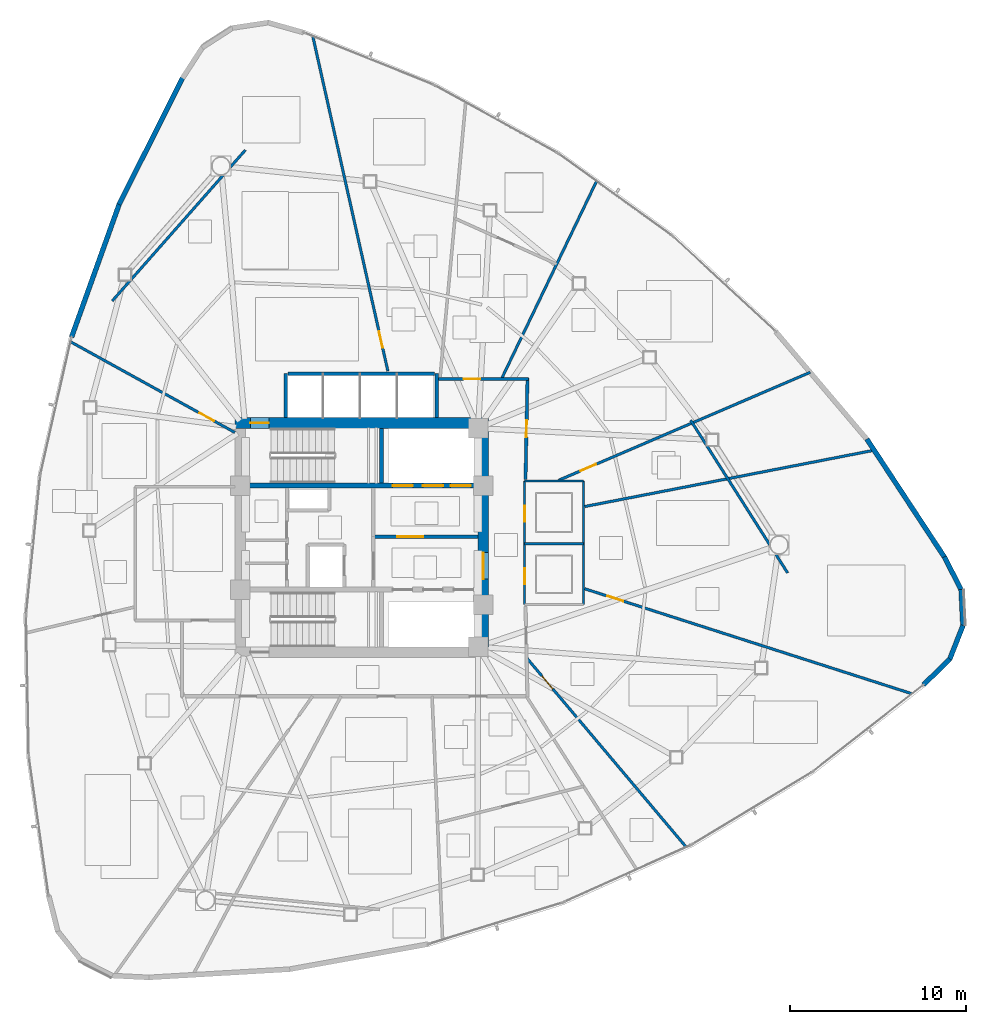
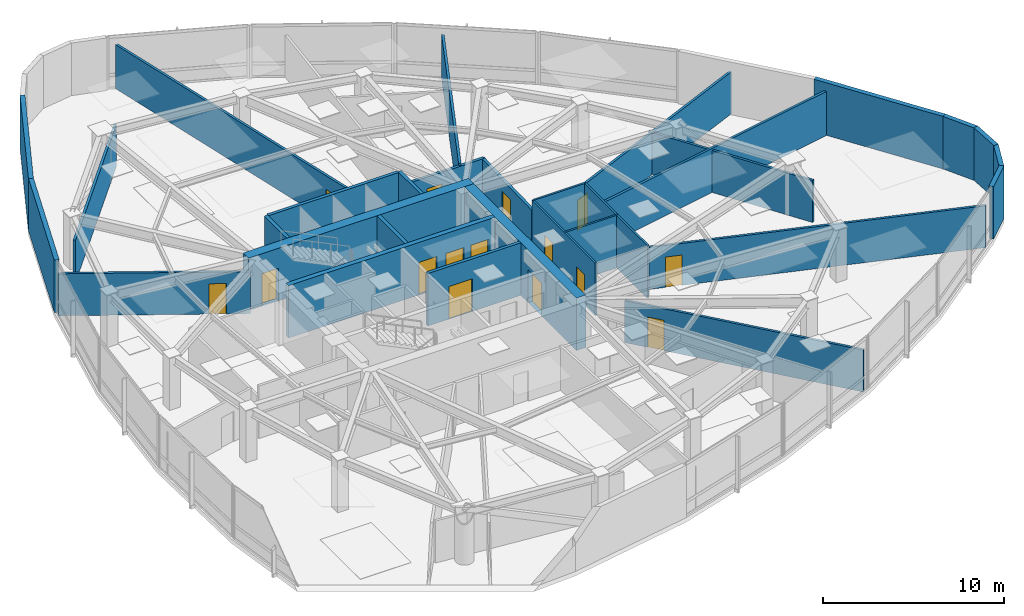
# One storey, part 12 of 17: 30 walls, 15 doors, 15 openings.
"""IFC4 building model written with IfcOpenShell, lengths in metres."""

import ifcopenshell
import ifcopenshell.guid

model = None  # the IFC model being written
_history = None  # IfcOwnerHistory: only IFC2X3 demands one
_inside = {}  # id of a spatial element -> (the spatial element, [elements in it])
_under = {}  # id of a project, library or spatial element -> (it, [spatial elements below it])
_declared = {}  # id of a project -> (the project, [libraries it declares])
_typed = {}  # id of a type object -> (the type object, [elements of that type])
_made_of = {}  # id of a material, layer set ... -> (it, [elements and type objects made of it])


def new_model(schema):
    """Start an empty IFC model of exactly this schema.

    Asked for "IFC4X3", IfcOpenShell would pick the latest addendum, in which some entities
    have other attributes; the version numbers below select the first issue.
    IFC2X3 requires an IfcOwnerHistory on every rooted entity: one is made here for all.
    """
    global model, _history
    if schema == "IFC4X3":
        model = ifcopenshell.file(schema_version=(4, 3, 0, 0))
    else:
        model = ifcopenshell.file(schema=schema)
    _inside.clear()
    _under.clear()
    _declared.clear()
    _typed.clear()
    _made_of.clear()
    _history = None
    if model.schema == "IFC2X3":
        org = make("IfcOrganization", Name="unknown")
        user = make(
            "IfcPersonAndOrganization",
            ThePerson=make("IfcPerson", FamilyName="unknown"),
            TheOrganization=org,
        )
        app = make(
            "IfcApplication",
            ApplicationDeveloper=org,
            Version="unknown",
            ApplicationFullName="unknown",
            ApplicationIdentifier="unknown",
        )
        _history = make(
            "IfcOwnerHistory",
            OwningUser=user,
            OwningApplication=app,
            ChangeAction="ADDED",
            CreationDate=0,
        )
    return model


def make(cls, **values):
    """One entity of the class cls with the attributes given. An attribute that is None is left unset."""
    return model.create_entity(
        cls, **{name: value for name, value in values.items() if value is not None}
    )


def rooted(cls, **values):
    """An entity with a GlobalId (a new one), such as an element, a storey or a relation."""
    return make(cls, GlobalId=ifcopenshell.guid.new(), OwnerHistory=_history, **values)


def si_unit(unit_type, name, prefix=None):
    """IfcSIUnit, for example si_unit("LENGTHUNIT", "METRE", prefix="MILLI")."""
    return make("IfcSIUnit", UnitType=unit_type, Prefix=prefix, Name=name)


def assignment(units):
    """IfcUnitAssignment: the units of a project."""
    return None if units is None else make("IfcUnitAssignment", Units=units)


def point(xyz):
    """IfcCartesianPoint."""
    return None if xyz is None else make("IfcCartesianPoint", Coordinates=xyz)


def direction(xyz):
    """IfcDirection."""
    return None if xyz is None else make("IfcDirection", DirectionRatios=xyz)


def frame(location, z_axis=None, x_axis=None):
    """IfcAxis2Placement3D, a coordinate frame: its origin and axes. An axis left out is left unset."""
    return make(
        "IfcAxis2Placement3D",
        Location=point(location),
        Axis=direction(z_axis),
        RefDirection=direction(x_axis),
    )


def frame_2d(location, x_axis=None):
    """IfcAxis2Placement2D, a coordinate frame in the plane: its origin and x axis."""
    return make(
        "IfcAxis2Placement2D", Location=point(location), RefDirection=direction(x_axis)
    )


def origin():
    """The frame at (0, 0, 0) with its axes left unset."""
    return frame((0.0, 0.0, 0.0))


def place(relative_to, where):
    """IfcLocalPlacement: puts the frame where relative to a parent placement (None: the world)."""
    return make(
        "IfcLocalPlacement", PlacementRelTo=relative_to, RelativePlacement=where
    )


def context(
    kind, dimensions, precision=None, world=None, true_north=None, identifier=None
):
    """IfcGeometricRepresentationContext, for example the 3D "Model" context."""
    return make(
        "IfcGeometricRepresentationContext",
        ContextIdentifier=identifier,
        ContextType=kind,
        CoordinateSpaceDimension=dimensions,
        Precision=precision,
        WorldCoordinateSystem=world,
        TrueNorth=true_north,
    )


def subcontext(parent, identifier, kind, view, scale=None):
    """IfcGeometricRepresentationSubContext, for example "Body" below "Model"."""
    return make(
        "IfcGeometricRepresentationSubContext",
        ContextIdentifier=identifier,
        ContextType=kind,
        ParentContext=parent,
        TargetScale=scale,
        TargetView=view,
    )


def project(units=None, contexts=None):
    """IfcProject with its units and contexts."""
    return rooted(
        "IfcProject",
        Name="project",
        RepresentationContexts=contexts,
        UnitsInContext=assignment(units),
    )


def spatial(cls, under=None, at=None, **own):
    """A site, building, storey or space (cls), placed at a placement, below another one or the project."""
    s = rooted(cls, ObjectPlacement=at, **own)
    if under is not None:
        _under.setdefault(under.id(), (under, []))[1].append(s)
    return s


def profile(cls, at=None, kind="AREA", **sizes):
    """A parametric profile (cls). Its sizes go by their IFC names, for example OverallWidth=200.0."""
    return make(cls, ProfileType=kind, Position=at, **sizes)


def rectangle(**sizes):
    """IfcRectangleProfileDef."""
    return profile("IfcRectangleProfileDef", **sizes)


def extrude(swept, where, along, depth):
    """IfcExtrudedAreaSolid: the profile swept, set in the frame where, extruded along a direction by depth."""
    return make(
        "IfcExtrudedAreaSolid",
        SweptArea=swept,
        Position=where,
        ExtrudedDirection=direction(along),
        Depth=depth,
    )


def shape(context_of_items, identifier, shape_type, items):
    """IfcShapeRepresentation: the items that make up one representation, for example the "Body"."""
    return make(
        "IfcShapeRepresentation",
        ContextOfItems=context_of_items,
        RepresentationIdentifier=identifier,
        RepresentationType=shape_type,
        Items=items,
    )


def material(Name=None, Category=None):
    """IfcMaterial."""
    return make("IfcMaterial", Name=Name, Category=Category)


def layer(
    of_material, thickness, ventilated=None, Name=None, Category=None, Priority=None
):
    """IfcMaterialLayer: one layer of a wall or slab, of a material (None: an air gap)."""
    return make(
        "IfcMaterialLayer",
        Material=of_material,
        LayerThickness=thickness,
        IsVentilated=ventilated,
        Name=Name,
        Category=Category,
        Priority=Priority,
    )


def layer_set(layers, Name=None):
    """IfcMaterialLayerSet."""
    return make("IfcMaterialLayerSet", MaterialLayers=layers, LayerSetName=Name)


def made_of(thing, what):
    """Note that an element or type object is made of a material, layer set ...; save() writes the relation."""
    if what is not None:
        _made_of.setdefault(what.id(), (what, []))[1].append(thing)
    return thing


def type_object(cls, material=None, **own):
    """A type object (cls), such as IfcWallType, which elements share."""
    return made_of(rooted(cls, **own), material)


def element(
    cls,
    number,
    at=None,
    inside=None,
    cuts=None,
    type_object=None,
    material=None,
    context=None,
    identifier="Body",
    shape_type=None,
    held_by="IfcProductDefinitionShape",
    body=None,
    shapes=None,
    **own,
):
    """One element of the class cls, such as IfcWall. Its Tag is "e" and its number.

    at: its placement. inside: the storey or other place that contains it. cuts: it is an
    opening in that element (IfcRelVoidsElement). A single representation is given by context,
    identifier, shape_type and body (its items); several are given by shapes. held_by: the class
    of the entity that holds the representations. save() writes the other relations.
    """
    e = rooted(cls, Tag="e%d" % number, ObjectPlacement=at, **own)
    if body is not None:
        shapes = [shape(context, identifier, shape_type, body)]
    if shapes is not None:
        e.Representation = make(held_by, Representations=shapes)
    if inside is not None:
        _inside.setdefault(inside.id(), (inside, []))[1].append(e)
    if cuts is not None:
        rooted(
            "IfcRelVoidsElement", RelatingBuildingElement=cuts, RelatedOpeningElement=e
        )
    if type_object is not None:
        _typed.setdefault(type_object.id(), (type_object, []))[1].append(e)
    return made_of(e, material)


def fill(opening, filler):
    """IfcRelFillsElement: the door or window that sits in an opening."""
    return rooted(
        "IfcRelFillsElement",
        RelatingOpeningElement=opening,
        RelatedBuildingElement=filler,
    )


def aggregate(whole, parts):
    """IfcRelAggregates: a whole, such as a stair, and the parts it consists of."""
    return rooted("IfcRelAggregates", RelatingObject=whole, RelatedObjects=parts)


def save(model, path):
    """Write the relations noted so far, then the file.

    IfcRelAggregates (storeys below a building ...), IfcRelContainedInSpatialStructure (elements
    in a storey), IfcRelDefinesByType, IfcRelAssociatesMaterial and IfcRelDeclares: one each for
    every whole, place, type object, material and project.
    """
    for whole, parts in _under.values():
        aggregate(whole, parts)
    for where, things in _inside.values():
        rooted(
            "IfcRelContainedInSpatialStructure",
            RelatedElements=things,
            RelatingStructure=where,
        )
    for kind, things in _typed.values():
        rooted("IfcRelDefinesByType", RelatedObjects=things, RelatingType=kind)
    for what, things in _made_of.values():
        rooted("IfcRelAssociatesMaterial", RelatedObjects=things, RelatingMaterial=what)
    for by, libraries in _declared.values():
        rooted("IfcRelDeclares", RelatingContext=by, RelatedDefinitions=libraries)
    model.write(path)


model = new_model("IFC4")

# Units and contexts
model_context = context("Model", 3, precision=1e-05, world=origin(), true_north=direction((0.0, 1.0)))
body_context = subcontext(model_context, "Body", "Model", "MODEL_VIEW")
ifc_project = project(units=[si_unit("LENGTHUNIT", "METRE"), si_unit("AREAUNIT", "SQUARE_METRE"), si_unit("VOLUMEUNIT", "CUBIC_METRE"), si_unit("PLANEANGLEUNIT", "RADIAN"), si_unit("MASSUNIT", "GRAM", prefix="KILO")], contexts=[model_context])

# Site, building, storey
site_placement = place(None, origin())
site = spatial("IfcSite", under=ifc_project, at=site_placement, CompositionType="ELEMENT")
building_placement = place(site_placement, origin())
building = spatial("IfcBuilding", under=site, at=building_placement, Name="Tavelor Broadcast Tower", CompositionType="ELEMENT")
storey_placement = place(building_placement, frame((0.0, 0.0, 119.449951171875)))
storey = spatial("IfcBuildingStorey", under=building, at=storey_placement, Name="L27", CompositionType="ELEMENT", Elevation=119.449951171875)

# Wall, opening, door
ifc_material_1 = material(Name="Concrete C60/75", Category="concrete")
ifc_layer_1 = layer(ifc_material_1, 0.60009765625)
ifc_layer_set_1 = layer_set([ifc_layer_1], Name="Concrete C60/75")
wall_type_1 = type_object("IfcWallType", Name="Core Shear Wall 600 mm", PredefinedType="SHEAR", material=ifc_layer_set_1)
wall_1_placement = place(storey_placement, frame((42.800048828125, 51.5, 0.0), z_axis=(0.0, 0.0, 1.0), x_axis=(1.0, 0.0, 0.0)))
wall_1 = element("IfcWall", 1, at=wall_1_placement, inside=storey, type_object=wall_type_1, Name="L27 Central Core Shear Wall N", PredefinedType="SHEAR", context=body_context, shape_type="SweptSolid", body=[
    extrude(rectangle(XDim=14.39990234375, YDim=0.60009765625, at=frame_2d((7.199951171875, 0.0))), origin(), (0.0, 0.0, 1.0), 3.550048828125),
])
opening_1_placement = place(wall_1_placement, frame((0.8798828125, 0.0, 0.0)))
opening_1 = element("IfcOpeningElement", 2, at=opening_1_placement, cuts=wall_1, Name="Opening DR11", PredefinedType="OPENING", context=body_context, shape_type="SweptSolid", body=[
    extrude(rectangle(XDim=1.050048828125, YDim=2.199951171875, at=frame_2d((0.52490234375, 1.10009765625))), frame((0.0, 0.31005859375, 0.0), z_axis=(0.0, -1.0, 0.0), x_axis=(1.0, 0.0, 0.0)), (0.0, 0.0, 1.0), 0.6201171875),
])
ifc_material_2 = material(Name="Steel S355", Category="steel")
door_type_1 = type_object("IfcDoorType", Name="Stair Core Fire Escape Door 1050x2200", OperationType="NOTDEFINED", PredefinedType="DOOR", material=ifc_material_2)
door_1_placement = place(opening_1_placement, origin())
door_1 = element("IfcDoor", 3, at=door_1_placement, inside=storey, type_object=door_type_1, Name="L27 Stair ST1 Protected Exit Door", OperationType="SINGLE_SWING_LEFT", OverallHeight=2.199951171875, OverallWidth=1.050048828125, PredefinedType="DOOR", context=body_context, shape_type="SweptSolid", body=[
    extrude(rectangle(XDim=1.050048828125, YDim=2.199951171875, at=frame_2d((0.52490234375, 1.10009765625))), frame((0.0, 0.02490234375, 0.0), z_axis=(0.0, -1.0, 0.0), x_axis=(1.0, 0.0, 0.0)), (0.0, 0.0, 1.0), 0.050048828125),
])
fill(opening_1, door_1)

wall_2_placement = place(storey_placement, frame((56.89990234375, 38.800048828125, 0.0), z_axis=(0.0, 0.0, 1.0), x_axis=(0.0, 1.0, 0.0)))
wall_2 = element("IfcWall", 4, at=wall_2_placement, inside=storey, type_object=wall_type_1, Name="L27 Central Core Shear Wall E", PredefinedType="SHEAR", context=body_context, shape_type="SweptSolid", body=[
    extrude(rectangle(XDim=12.39990234375, YDim=0.60009765625, at=frame_2d((6.199951171875, 0.0))), origin(), (0.0, 0.0, 1.0), 3.550048828125),
])
opening_2_placement = place(wall_2_placement, frame((3.85009765625, 0.0, 0.0)))
opening_2 = element("IfcOpeningElement", 5, at=opening_2_placement, cuts=wall_2, Name="Opening DR14", PredefinedType="OPENING", context=body_context, shape_type="SweptSolid", body=[
    extrude(rectangle(XDim=1.5, YDim=2.199951171875, at=frame_2d((0.75, 1.10009765625))), frame((0.0, 0.31005859375, 0.0), z_axis=(0.0, -1.0, 0.0), x_axis=(1.0, 0.0, 0.0)), (0.0, 0.0, 1.0), 0.6201171875),
])
door_type_2 = type_object("IfcDoorType", Name="Firefighting Lobby Double Fire Door 1500x2200", OperationType="NOTDEFINED", PredefinedType="DOOR", material=ifc_material_2)
door_2_placement = place(opening_2_placement, origin())
door_2 = element("IfcDoor", 6, at=door_2_placement, inside=storey, type_object=door_type_2, Name="L27 Central Core Lobby Fire Door", OperationType="SINGLE_SWING_RIGHT", OverallHeight=2.199951171875, OverallWidth=1.5, PredefinedType="DOOR", context=body_context, shape_type="SweptSolid", body=[
    extrude(rectangle(XDim=1.5, YDim=2.199951171875, at=frame_2d((0.75, 1.10009765625))), frame((0.0, 0.02490234375, 0.0), z_axis=(0.0, -1.0, 0.0), x_axis=(1.0, 0.0, 0.0)), (0.0, 0.0, 1.0), 0.050048828125),
])
fill(opening_2, door_2)

# Wall, openings, doors
ifc_layer_2 = layer(ifc_material_1, 0.300048828125)
ifc_layer_set_2 = layer_set([ifc_layer_2], Name="Concrete C60/75")
wall_type_2 = type_object("IfcWallType", Name="Core Spine Shear Wall 300 mm C60", PredefinedType="SHEAR", material=ifc_layer_set_2)
wall_3_placement = place(storey_placement, frame((43.39990234375, 47.949951171875, 0.0), z_axis=(0.0, 0.0, 1.0), x_axis=(1.0, 0.0, 0.0)))
wall_3 = element("IfcWall", 7, at=wall_3_placement, inside=storey, type_object=wall_type_2, Name="L27 Central Core Shear Wall SP1", PredefinedType="SHEAR", context=body_context, shape_type="SweptSolid", body=[
    extrude(rectangle(XDim=13.2001953125, YDim=0.300048828125, at=frame_2d((6.60009765625, 0.0))), origin(), (0.0, 0.0, 1.0), 3.550048828125),
])
opening_3_placement = place(wall_3_placement, frame((8.344970703125, 0.0, 0.0)))
opening_3 = element("IfcOpeningElement", 8, at=opening_3_placement, cuts=wall_3, Name="Opening LD02", PredefinedType="OPENING", context=body_context, shape_type="SweptSolid", body=[
    extrude(rectangle(XDim=1.14990234375, YDim=2.199951171875, at=frame_2d((0.574951171875, 1.10009765625))), frame((0.0, 0.16015625, 0.0), z_axis=(0.0, -1.0, 0.0), x_axis=(1.0, 0.0, 0.0)), (0.0, 0.0, 1.0), 0.320068359375),
])
opening_4_placement = place(wall_3_placement, frame((10.06494140625, 0.0, 0.0)))
opening_4 = element("IfcOpeningElement", 9, at=opening_4_placement, cuts=wall_3, Name="Opening LD02", PredefinedType="OPENING", context=body_context, shape_type="SweptSolid", body=[
    extrude(rectangle(XDim=1.14990234375, YDim=2.199951171875, at=frame_2d((0.574951171875, 1.10009765625))), frame((0.0, 0.16015625, 0.0), z_axis=(0.0, -1.0, 0.0), x_axis=(1.0, 0.0, 0.0)), (0.0, 0.0, 1.0), 0.320068359375),
])
opening_5_placement = place(wall_3_placement, frame((11.64501953125, 0.0, 0.0)))
opening_5 = element("IfcOpeningElement", 10, at=opening_5_placement, cuts=wall_3, Name="Opening LD03", PredefinedType="OPENING", context=body_context, shape_type="SweptSolid", body=[
    extrude(rectangle(XDim=1.14990234375, YDim=2.199951171875, at=frame_2d((0.574951171875, 1.10009765625))), frame((0.0, 0.16015625, 0.0), z_axis=(0.0, -1.0, 0.0), x_axis=(1.0, 0.0, 0.0)), (0.0, 0.0, 1.0), 0.320068359375),
])
ifc_material_3 = material(Name="Reinforced Brushed Stainless Steel", Category="concrete")
door_type_3 = type_object("IfcDoorType", Name="Broadcast Goods Lift Sliding Landing Door 1250x2200", OperationType="NOTDEFINED", PredefinedType="DOOR", material=ifc_material_3)
door_3_placement = place(opening_5_placement, origin())
door_3 = element("IfcDoor", 11, at=door_3_placement, inside=storey, type_object=door_type_3, Name="L27 Lift SVL1 Sliding Landing Door", OperationType="SLIDING_TO_LEFT", OverallHeight=2.199951171875, OverallWidth=1.14990234375, PredefinedType="DOOR", context=body_context, shape_type="SweptSolid", body=[
    extrude(rectangle(XDim=1.14990234375, YDim=2.199951171875, at=frame_2d((0.574951171875, 1.10009765625))), frame((0.0, 0.02490234375, 0.0), z_axis=(0.0, -1.0, 0.0), x_axis=(1.0, 0.0, 0.0)), (0.0, 0.0, 1.0), 0.050048828125),
])
fill(opening_5, door_3)
ifc_material_4 = material(Name="Fire-Rated Stainless Steel", Category="steel")
door_type_4 = type_object("IfcDoorType", Name="Firefighting Lift Sliding Landing Door 1200x2200", OperationType="NOTDEFINED", PredefinedType="DOOR", material=ifc_material_4)
door_4_placement = place(opening_3_placement, origin())
door_4 = element("IfcDoor", 12, at=door_4_placement, inside=storey, type_object=door_type_4, Name="L27 Lift FFL1 Sliding Landing Door", OperationType="SLIDING_TO_LEFT", OverallHeight=2.199951171875, OverallWidth=1.14990234375, PredefinedType="DOOR", context=body_context, shape_type="SweptSolid", body=[
    extrude(rectangle(XDim=1.14990234375, YDim=2.199951171875, at=frame_2d((0.574951171875, 1.10009765625))), frame((0.0, 0.02490234375, 0.0), z_axis=(0.0, -1.0, 0.0), x_axis=(1.0, 0.0, 0.0)), (0.0, 0.0, 1.0), 0.050048828125),
])
fill(opening_3, door_4)
door_5_placement = place(opening_4_placement, origin())
door_5 = element("IfcDoor", 13, at=door_5_placement, inside=storey, type_object=door_type_4, Name="L27 Lift FFL2 Sliding Landing Door", OperationType="SLIDING_TO_LEFT", OverallHeight=2.199951171875, OverallWidth=1.14990234375, PredefinedType="DOOR", context=body_context, shape_type="SweptSolid", body=[
    extrude(rectangle(XDim=1.14990234375, YDim=2.199951171875, at=frame_2d((0.574951171875, 1.10009765625))), frame((0.0, 0.02490234375, 0.0), z_axis=(0.0, -1.0, 0.0), x_axis=(1.0, 0.0, 0.0)), (0.0, 0.0, 1.0), 0.050048828125),
])
fill(opening_4, door_5)

# Wall, opening, door
ifc_material_5 = material(Name="Calcium Silicate Fire Board 180 mm", Category="gypsum")
ifc_layer_3 = layer(ifc_material_5, 0.179931640625)
ifc_layer_set_3 = layer_set([ifc_layer_3], Name="Calcium Silicate Fire Board 180 mm")
wall_type_3 = type_object("IfcWallType", Name="Fire-Rated Corridor Partition Wall 180 mm", PredefinedType="PARTITIONING", material=ifc_layer_set_3)
wall_4_placement = place(storey_placement, frame((54.300048828125, 54.0, 0.0), z_axis=(0.0, 0.0, 1.0), x_axis=(1.0, 0.0, 0.0)))
wall_4 = element("IfcWall", 14, at=wall_4_placement, inside=storey, type_object=wall_type_3, Name="L27 Corridor Compartment Wall 01", PredefinedType="PARTITIONING", context=body_context, shape_type="SweptSolid", body=[
    extrude(rectangle(XDim=5.14990234375, YDim=0.179931640625, at=frame_2d((2.574951171875, 0.0))), origin(), (0.0, 0.0, 1.0), 2.8349609375),
])
opening_6_placement = place(wall_4_placement, frame((1.477294921875, 0.0, 0.0)))
opening_6 = element("IfcOpeningElement", 15, at=opening_6_placement, cuts=wall_4, Name="Opening DR18", PredefinedType="OPENING", context=body_context, shape_type="SweptSolid", body=[
    extrude(rectangle(XDim=0.949951171875, YDim=2.050048828125, at=frame_2d((0.47509765625, 1.02490234375))), frame((0.0, 0.10009765625, 0.0), z_axis=(0.0, -1.0, 0.0), x_axis=(1.0, 0.0, 0.0)), (0.0, 0.0, 1.0), 0.199951171875),
])
ifc_material_6 = material(Name="Timber Solid Core Hardwood", Category="wood")
door_type_5 = type_object("IfcDoorType", Name="Corridor Rated Compartment Door 950x2050", OperationType="NOTDEFINED", PredefinedType="DOOR", material=ifc_material_6)
door_6_placement = place(opening_6_placement, origin())
door_6 = element("IfcDoor", 16, at=door_6_placement, inside=storey, type_object=door_type_5, Name="L27 Studio Foley Workshop Door R14", OperationType="SINGLE_SWING_RIGHT", OverallHeight=2.050048828125, OverallWidth=0.949951171875, PredefinedType="DOOR", context=body_context, shape_type="SweptSolid", body=[
    extrude(rectangle(XDim=0.949951171875, YDim=2.050048828125, at=frame_2d((0.47509765625, 1.02490234375))), frame((0.0, 0.02490234375, 0.0), z_axis=(0.0, -1.0, 0.0), x_axis=(1.0, 0.0, 0.0)), (0.0, 0.0, 1.0), 0.050048828125),
])
fill(opening_6, door_6)

wall_5_placement = place(storey_placement, frame((59.40087890625, 54.050048828125, 0.0), z_axis=(0.0, 0.0, 1.0), x_axis=(-0.019103170983, -0.999817517779, 0.0)))
wall_5 = element("IfcWall", 17, at=wall_5_placement, inside=storey, type_object=wall_type_3, Name="L27 Corridor Compartment Wall 02", PredefinedType="PARTITIONING", context=body_context, shape_type="SweptSolid", body=[
    extrude(rectangle(XDim=5.7509765625, YDim=0.179931640625, at=frame_2d((2.87548828125, 0.0))), origin(), (0.0, 0.0, 1.0), 2.8349609375),
])
opening_7_placement = place(wall_5_placement, frame((2.400390625, 0.0, 0.0)))
opening_7 = element("IfcOpeningElement", 18, at=opening_7_placement, cuts=wall_5, Name="Opening DR18", PredefinedType="OPENING", context=body_context, shape_type="SweptSolid", body=[
    extrude(rectangle(XDim=0.949951171875, YDim=2.050048828125, at=frame_2d((0.47509765625, 1.02490234375))), frame((0.0, 0.10009765625, 0.0), z_axis=(0.0, -1.0, 0.0), x_axis=(1.0, 0.0, 0.0)), (0.0, 0.0, 1.0), 0.199951171875),
])
door_7_placement = place(opening_7_placement, origin())
door_7 = element("IfcDoor", 19, at=door_7_placement, inside=storey, type_object=door_type_5, Name="L27 Editorial Huddle Room Door R10", OperationType="SINGLE_SWING_LEFT", OverallHeight=2.050048828125, OverallWidth=0.949951171875, PredefinedType="DOOR", context=body_context, shape_type="SweptSolid", body=[
    extrude(rectangle(XDim=0.949951171875, YDim=2.050048828125, at=frame_2d((0.47509765625, 1.02490234375))), frame((0.0, 0.02490234375, 0.0), z_axis=(0.0, -1.0, 0.0), x_axis=(1.0, 0.0, 0.0)), (0.0, 0.0, 1.0), 0.050048828125),
])
fill(opening_7, door_7)

# Walls
ifc_material_7 = material(Name="Precast Concrete C40/50", Category="concrete")
ifc_layer_4 = layer(ifc_material_7, 0.280029296875)
ifc_layer_set_4 = layer_set([ifc_layer_4], Name="Precast Concrete C40/50")
wall_type_4 = type_object("IfcWallType", Name="Insulated Precast Terracotta Facade Wall 280 mm", PredefinedType="STANDARD", material=ifc_layer_set_4)
wall_6_placement = place(storey_placement, frame((39.83740234375, 71.081787109375, 0.0), z_axis=(0.0, 0.0, 1.0), x_axis=(-0.448962892482, -0.893550402146, 0.0)))
element("IfcWall", 20, at=wall_6_placement, inside=storey, type_object=wall_type_4, Name="L27 Rounded Corner Structural Cladding Pier 05", PredefinedType="STANDARD", context=body_context, shape_type="SweptSolid", body=[
    extrude(rectangle(XDim=8.034912109375, YDim=0.280029296875, at=frame_2d((4.017578125, 0.0))), origin(), (0.0, 0.0, 1.0), 3.550048828125),
])
wall_7_placement = place(storey_placement, frame((36.241943359375, 63.9296875, 0.0), z_axis=(0.0, 0.0, 1.0), x_axis=(-0.337537102647, -0.941312224682, 0.0)))
element("IfcWall", 21, at=wall_7_placement, inside=storey, type_object=wall_type_4, Name="L27 Rounded Corner Structural Cladding Pier 06", PredefinedType="STANDARD", context=body_context, shape_type="SweptSolid", body=[
    extrude(rectangle(XDim=8.02294921875, YDim=0.280029296875, at=frame_2d((4.011474609375, 0.0))), origin(), (0.0, 0.0, 1.0), 3.550048828125),
])
wall_8_placement = place(storey_placement, frame((81.873046875, 36.652099609375, 0.0), z_axis=(0.0, 0.0, 1.0), x_axis=(0.716280519582, 0.697812451356, 0.0)))
element("IfcWall", 22, at=wall_8_placement, inside=storey, type_object=wall_type_4, Name="L27 Rounded Corner Structural Cladding Pier 21", PredefinedType="STANDARD", context=body_context, shape_type="SweptSolid", body=[
    extrude(rectangle(XDim=2.088623046875, YDim=0.280029296875, at=frame_2d((1.04443359375, 0.0))), origin(), (0.0, 0.0, 1.0), 3.550048828125),
])
for number, where, z_axis, x_axis, name in (
    (23, (83.352783203125, 38.085205078125, 0.0), (0.0, 0.0, 1.0), (0.365688740279, 0.930737205248, 0.0), "L27 Rounded Corner Structural Cladding Pier 22"),
    (24, (84.107666015625, 39.989501953125, 0.0), (0.0, 0.0, 1.0), (-0.049726541212, 0.998762870305, 0.0), "L27 Rounded Corner Structural Cladding Pier 23"),
):
    element("IfcWall", number, at=place(storey_placement, frame(where, z_axis=z_axis, x_axis=x_axis)), inside=storey, type_object=wall_type_4, Name=name, PredefinedType="STANDARD", context=body_context, shape_type="SweptSolid", body=[
        extrude(rectangle(XDim=2.076904296875, YDim=0.280029296875, at=frame_2d((1.03857421875, 0.0))), origin(), (0.0, 0.0, 1.0), 3.550048828125),
    ])
wall_9_placement = place(storey_placement, frame((84.011962890625, 42.035400390625, 0.0), z_axis=(0.0, 0.0, 1.0), x_axis=(-0.456399270457, 0.88977508727, 0.0)))
element("IfcWall", 25, at=wall_9_placement, inside=storey, type_object=wall_type_4, Name="L27 Rounded Corner Structural Cladding Pier 24", PredefinedType="STANDARD", context=body_context, shape_type="SweptSolid", body=[
    extrude(rectangle(XDim=2.099609375, YDim=0.280029296875, at=frame_2d((1.0498046875, 0.0))), origin(), (0.0, 0.0, 1.0), 3.550048828125),
])
wall_10_placement = place(storey_placement, frame((83.06884765625, 43.877685546875, 0.0), z_axis=(0.0, 0.0, 1.0), x_axis=(-0.549359767553, 0.835585929629, 0.0)))
element("IfcWall", 26, at=wall_10_placement, inside=storey, type_object=wall_type_4, Name="L27 Rounded Corner Structural Cladding Pier 25", PredefinedType="STANDARD", context=body_context, shape_type="SweptSolid", body=[
    extrude(rectangle(XDim=8.034912109375, YDim=0.280029296875, at=frame_2d((4.017578125, 0.0))), origin(), (0.0, 0.0, 1.0), 3.550048828125),
])
ifc_material_8 = material(Name="Gypsum Acoustic Plasterboard 150 mm", Category="gypsum")
ifc_layer_5 = layer(ifc_material_8, 0.14990234375)
ifc_layer_set_5 = layer_set([ifc_layer_5], Name="Gypsum Acoustic Plasterboard 150 mm")
wall_type_5 = type_object("IfcWallType", Name="Interior Acoustic Partition Wall 150 mm", PredefinedType="PARTITIONING", material=ifc_layer_set_5)
wall_11_placement = place(storey_placement, frame((43.399658203125, 66.988525390625, 0.0), z_axis=(0.0, 0.0, 1.0), x_axis=(-0.661622343701, -0.749837231881, 0.0)))
element("IfcWall", 27, at=wall_11_placement, inside=storey, type_object=wall_type_5, Name="L27 Corner Tube Brace Furring Wall 1", PredefinedType="PARTITIONING", context=body_context, shape_type="SweptSolid", body=[
    extrude(rectangle(XDim=11.42724609375, YDim=0.14990234375, at=frame_2d((5.713623046875, 0.0))), origin(), (0.0, 0.0, 1.0), 2.8349609375),
])
wall_12_placement = place(storey_placement, frame((74.16259765625, 42.9931640625, 0.0), z_axis=(0.0, 0.0, 1.0), x_axis=(-0.53628142437, 0.844039237166, 0.0)))
element("IfcWall", 28, at=wall_12_placement, inside=storey, type_object=wall_type_5, Name="L27 Corner Tube Brace Furring Wall 3", PredefinedType="PARTITIONING", context=body_context, shape_type="SweptSolid", body=[
    extrude(rectangle(XDim=10.266845703125, YDim=0.14990234375, at=frame_2d((5.13330078125, 0.0))), origin(), (0.0, 0.0, 1.0), 2.8349609375),
])

# Wall, opening, door
wall_13_placement = place(storey_placement, frame((59.353515625, 38.176513671875, 0.0), z_axis=(0.0, 0.0, 1.0), x_axis=(0.644617557628, -0.764505202335, 0.0)))
wall_13 = element("IfcWall", 29, at=wall_13_placement, inside=storey, type_object=wall_type_5, Name="L27 Radial Compartment Wall 02", PredefinedType="PARTITIONING", context=body_context, shape_type="SweptSolid", body=[
    extrude(rectangle(XDim=14.055419921875, YDim=0.14990234375, at=frame_2d((7.02783203125, 0.0))), origin(), (0.0, 0.0, 1.0), 2.8349609375),
])
opening_8_placement = place(wall_13_placement, frame((1.35009765625, 0.0, 0.0)))
opening_8 = element("IfcOpeningElement", 30, at=opening_8_placement, cuts=wall_13, Name="Opening DR18", PredefinedType="OPENING", context=body_context, shape_type="SweptSolid", body=[
    extrude(rectangle(XDim=0.949951171875, YDim=2.050048828125, at=frame_2d((0.47509765625, 1.02490234375))), frame((0.0, 0.0849609375, 0.0), z_axis=(0.0, -1.0, 0.0), x_axis=(1.0, 0.0, 0.0)), (0.0, 0.0, 1.0), 0.169921875),
])
door_8_placement = place(opening_8_placement, origin())
door_8 = element("IfcDoor", 31, at=door_8_placement, inside=storey, type_object=door_type_5, Name="L27 Suite Connecting Door 1", OperationType="SINGLE_SWING_LEFT", OverallHeight=2.050048828125, OverallWidth=0.949951171875, PredefinedType="DOOR", context=body_context, shape_type="SweptSolid", body=[
    extrude(rectangle(XDim=0.949951171875, YDim=2.050048828125, at=frame_2d((0.47509765625, 1.02490234375))), frame((0.0, 0.02490234375, 0.0), z_axis=(0.0, -1.0, 0.0), x_axis=(1.0, 0.0, 0.0)), (0.0, 0.0, 1.0), 0.050048828125),
])
fill(opening_8, door_8)

wall_14_placement = place(storey_placement, frame((62.64990234375, 42.096435546875, 0.0), z_axis=(0.0, 0.0, 1.0), x_axis=(0.952197394855, -0.305483422188, 0.0)))
wall_14 = element("IfcWall", 32, at=wall_14_placement, inside=storey, type_object=wall_type_5, Name="L27 Radial Compartment Wall 03", PredefinedType="PARTITIONING", context=body_context, shape_type="SweptSolid", body=[
    extrude(rectangle(XDim=19.512451171875, YDim=0.14990234375, at=frame_2d((9.75634765625, 0.0))), origin(), (0.0, 0.0, 1.0), 2.8349609375),
])
opening_9_placement = place(wall_14_placement, frame((1.35009765625, 0.0, 0.0)))
opening_9 = element("IfcOpeningElement", 33, at=opening_9_placement, cuts=wall_14, Name="Opening DR18", PredefinedType="OPENING", context=body_context, shape_type="SweptSolid", body=[
    extrude(rectangle(XDim=0.949951171875, YDim=2.050048828125, at=frame_2d((0.47509765625, 1.02490234375))), frame((0.0, 0.0849609375, 0.0), z_axis=(0.0, -1.0, 0.0), x_axis=(1.0, 0.0, 0.0)), (0.0, 0.0, 1.0), 0.169921875),
])
door_9_placement = place(opening_9_placement, origin())
door_9 = element("IfcDoor", 34, at=door_9_placement, inside=storey, type_object=door_type_5, Name="L27 Suite Connecting Door 12", OperationType="SINGLE_SWING_RIGHT", OverallHeight=2.050048828125, OverallWidth=0.949951171875, PredefinedType="DOOR", context=body_context, shape_type="SweptSolid", body=[
    extrude(rectangle(XDim=0.949951171875, YDim=2.050048828125, at=frame_2d((0.47509765625, 1.02490234375))), frame((0.0, 0.02490234375, 0.0), z_axis=(0.0, -1.0, 0.0), x_axis=(1.0, 0.0, 0.0)), (0.0, 0.0, 1.0), 0.050048828125),
])
fill(opening_9, door_9)

# Wall
wall_15_placement = place(storey_placement, frame((62.64990234375, 46.760498046875, 0.0), z_axis=(0.0, 0.0, 1.0), x_axis=(0.981594740377, 0.190975824815, 0.0)))
element("IfcWall", 35, at=wall_15_placement, inside=storey, type_object=wall_type_5, Name="L27 Radial Compartment Wall 04", PredefinedType="PARTITIONING", context=body_context, shape_type="SweptSolid", body=[
    extrude(rectangle(XDim=16.74169921875, YDim=0.14990234375, at=frame_2d((8.370849609375, 0.0))), origin(), (0.0, 0.0, 1.0), 2.97509765625),
])

# Wall, opening, door
wall_16_placement = place(storey_placement, frame((61.16943359375, 48.25, 0.0), z_axis=(0.0, 0.0, 1.0), x_axis=(0.918885689249, 0.394523877723, 0.0)))
wall_16 = element("IfcWall", 36, at=wall_16_placement, inside=storey, type_object=wall_type_5, Name="L27 Radial Compartment Wall 05", PredefinedType="PARTITIONING", context=body_context, shape_type="SweptSolid", body=[
    extrude(rectangle(XDim=15.544921875, YDim=0.14990234375, at=frame_2d((7.7724609375, 0.0))), origin(), (0.0, 0.0, 1.0), 2.8349609375),
])
opening_10_placement = place(wall_16_placement, frame((1.35009765625, 0.0, 0.0)))
opening_10 = element("IfcOpeningElement", 37, at=opening_10_placement, cuts=wall_16, Name="Opening DR18", PredefinedType="OPENING", context=body_context, shape_type="SweptSolid", body=[
    extrude(rectangle(XDim=0.949951171875, YDim=2.050048828125, at=frame_2d((0.47509765625, 1.02490234375))), frame((0.0, 0.0849609375, 0.0), z_axis=(0.0, -1.0, 0.0), x_axis=(1.0, 0.0, 0.0)), (0.0, 0.0, 1.0), 0.169921875),
])
door_10_placement = place(opening_10_placement, origin())
door_10 = element("IfcDoor", 38, at=door_10_placement, inside=storey, type_object=door_type_5, Name="L27 Suite Connecting Door 11", OperationType="SINGLE_SWING_LEFT", OverallHeight=2.050048828125, OverallWidth=0.949951171875, PredefinedType="DOOR", context=body_context, shape_type="SweptSolid", body=[
    extrude(rectangle(XDim=0.949951171875, YDim=2.050048828125, at=frame_2d((0.47509765625, 1.02490234375))), frame((0.0, 0.02490234375, 0.0), z_axis=(0.0, -1.0, 0.0), x_axis=(1.0, 0.0, 0.0)), (0.0, 0.0, 1.0), 0.050048828125),
])
fill(opening_10, door_10)

# Wall
wall_17_placement = place(storey_placement, frame((57.92724609375, 54.0, 0.0), z_axis=(0.0, 0.0, 1.0), x_axis=(0.433302392895, 0.901248598508, 0.0)))
element("IfcWall", 39, at=wall_17_placement, inside=storey, type_object=wall_type_5, Name="L27 Radial Compartment Wall 06", PredefinedType="PARTITIONING", context=body_context, shape_type="SweptSolid", body=[
    extrude(rectangle(XDim=12.45947265625, YDim=0.14990234375, at=frame_2d((6.229736328125, 0.0))), origin(), (0.0, 0.0, 1.0), 2.97509765625),
])

# Wall, opening, door
wall_18_placement = place(storey_placement, frame((51.480712890625, 54.449951171875, 0.0), z_axis=(0.0, 0.0, 1.0), x_axis=(-0.218834285323, 0.975762038392, 0.0)))
wall_18 = element("IfcWall", 40, at=wall_18_placement, inside=storey, type_object=wall_type_5, Name="L27 Radial Compartment Wall 08", PredefinedType="PARTITIONING", context=body_context, shape_type="SweptSolid", body=[
    extrude(rectangle(XDim=19.480224609375, YDim=0.14990234375, at=frame_2d((9.740234375, 0.0))), origin(), (0.0, 0.0, 1.0), 2.97509765625),
])
opening_11_placement = place(wall_18_placement, frame((1.35009765625, 0.0, 0.0)))
opening_11 = element("IfcOpeningElement", 41, at=opening_11_placement, cuts=wall_18, Name="Opening DR18", PredefinedType="OPENING", context=body_context, shape_type="SweptSolid", body=[
    extrude(rectangle(XDim=0.949951171875, YDim=2.050048828125, at=frame_2d((0.47509765625, 1.02490234375))), frame((0.0, 0.0849609375, 0.0), z_axis=(0.0, -1.0, 0.0), x_axis=(1.0, 0.0, 0.0)), (0.0, 0.0, 1.0), 0.169921875),
])
door_11_placement = place(opening_11_placement, origin())
door_11 = element("IfcDoor", 42, at=door_11_placement, inside=storey, type_object=door_type_5, Name="L27 Suite Connecting Door 8", OperationType="SINGLE_SWING_RIGHT", OverallHeight=2.050048828125, OverallWidth=0.949951171875, PredefinedType="DOOR", context=body_context, shape_type="SweptSolid", body=[
    extrude(rectangle(XDim=0.949951171875, YDim=2.050048828125, at=frame_2d((0.47509765625, 1.02490234375))), frame((0.0, 0.02490234375, 0.0), z_axis=(0.0, -1.0, 0.0), x_axis=(1.0, 0.0, 0.0)), (0.0, 0.0, 1.0), 0.050048828125),
])
fill(opening_11, door_11)

wall_19_placement = place(storey_placement, frame((42.800048828125, 50.962890625, 0.0), z_axis=(0.0, 0.0, 1.0), x_axis=(-0.875429709684, 0.483345449345, 0.0)))
wall_19 = element("IfcWall", 43, at=wall_19_placement, inside=storey, type_object=wall_type_5, Name="L27 Radial Compartment Wall 09", PredefinedType="PARTITIONING", context=body_context, shape_type="SweptSolid", body=[
    extrude(rectangle(XDim=10.663330078125, YDim=0.14990234375, at=frame_2d((5.33154296875, 0.0))), origin(), (0.0, 0.0, 1.0), 2.8349609375),
])
opening_12_placement = place(wall_19_placement, frame((1.35009765625, 0.0, 0.0)))
opening_12 = element("IfcOpeningElement", 44, at=opening_12_placement, cuts=wall_19, Name="Opening DR18", PredefinedType="OPENING", context=body_context, shape_type="SweptSolid", body=[
    extrude(rectangle(XDim=0.949951171875, YDim=2.050048828125, at=frame_2d((0.47509765625, 1.02490234375))), frame((0.0, 0.0849609375, 0.0), z_axis=(0.0, -1.0, 0.0), x_axis=(1.0, 0.0, 0.0)), (0.0, 0.0, 1.0), 0.169921875),
])
door_12_placement = place(opening_12_placement, origin())
door_12 = element("IfcDoor", 45, at=door_12_placement, inside=storey, type_object=door_type_5, Name="L27 Suite Connecting Door 7", OperationType="SINGLE_SWING_LEFT", OverallHeight=2.050048828125, OverallWidth=0.949951171875, PredefinedType="DOOR", context=body_context, shape_type="SweptSolid", body=[
    extrude(rectangle(XDim=0.949951171875, YDim=2.050048828125, at=frame_2d((0.47509765625, 1.02490234375))), frame((0.0, 0.02490234375, 0.0), z_axis=(0.0, -1.0, 0.0), x_axis=(1.0, 0.0, 0.0)), (0.0, 0.0, 1.0), 0.050048828125),
])
fill(opening_12, door_12)

# Walls
ifc_material_9 = material(Name="Concrete Blockwork 200 mm", Category="masonry")
ifc_layer_6 = layer(ifc_material_9, 0.199951171875)
ifc_layer_set_6 = layer_set([ifc_layer_6], Name="Concrete Blockwork 200 mm")
wall_type_6 = type_object("IfcWallType", Name="Lift Hoistway Rated Front Wall 200 mm", PredefinedType="PARTITIONING", material=ifc_layer_set_6)
wall_20_placement = place(storey_placement, frame((45.820068359375, 54.300048828125, 0.0), z_axis=(0.0, 0.0, 1.0), x_axis=(1.0, 0.0, 0.0)))
element("IfcWall", 46, at=wall_20_placement, inside=storey, type_object=wall_type_6, Name="L27 High-Rise Lift Hoistway Front Wall", PredefinedType="PARTITIONING", context=body_context, shape_type="SweptSolid", body=[
    extrude(rectangle(XDim=8.309814453125, YDim=0.199951171875, at=frame_2d((4.15478515625, 0.0))), origin(), (0.0, 0.0, 1.0), 3.550048828125),
])
ifc_layer_7 = layer(ifc_material_9, 0.199951171875)
ifc_layer_set_7 = layer_set([ifc_layer_7], Name="Concrete Blockwork 200 mm")
wall_type_7 = type_object("IfcWallType", Name="Lift and Riser Shaft Enclosure Wall 200 mm", PredefinedType="PARTITIONING", material=ifc_layer_set_7)
for number, where, z_axis, x_axis, name in (
    (47, (45.699951171875, 51.800048828125, 0.0), (0.0, 0.0, 1.0), (0.0, 1.0, 0.0), "L27 High-Rise Lift Shaft West Wall"),
    (48, (54.25, 51.800048828125, 0.0), (0.0, 0.0, 1.0), (0.0, 1.0, 0.0), "L27 High-Rise Lift Shaft East Wall"),
):
    element("IfcWall", number, at=place(storey_placement, frame(where, z_axis=z_axis, x_axis=x_axis)), inside=storey, type_object=wall_type_7, Name=name, PredefinedType="PARTITIONING", context=body_context, shape_type="SweptSolid", body=[
        extrude(rectangle(XDim=2.5, YDim=0.199951171875, at=frame_2d((1.25, 0.0))), origin(), (0.0, 0.0, 1.0), 3.550048828125),
    ])

# Wall, opening, door
wall_21_placement = place(storey_placement, frame((50.64990234375, 45.050048828125, 0.0), z_axis=(0.0, 0.0, 1.0), x_axis=(1.0, 0.0, 0.0)))
wall_21 = element("IfcWall", 49, at=wall_21_placement, inside=storey, type_object=wall_type_7, Name="L27 Firefighting Lobby South Wall", PredefinedType="PARTITIONING", context=body_context, shape_type="SweptSolid", body=[
    extrude(rectangle(XDim=5.9501953125, YDim=0.199951171875, at=frame_2d((2.97509765625, 0.0))), origin(), (0.0, 0.0, 1.0), 3.550048828125),
])
opening_13_placement = place(wall_21_placement, frame((1.35009765625, 0.0, 0.0)))
opening_13 = element("IfcOpeningElement", 50, at=opening_13_placement, cuts=wall_21, Name="Opening DR14", PredefinedType="OPENING", context=body_context, shape_type="SweptSolid", body=[
    extrude(rectangle(XDim=1.5, YDim=2.199951171875, at=frame_2d((0.75, 1.10009765625))), frame((0.0, 0.10986328125, 0.0), z_axis=(0.0, -1.0, 0.0), x_axis=(1.0, 0.0, 0.0)), (0.0, 0.0, 1.0), 0.219970703125),
])
door_13_placement = place(opening_13_placement, origin())
door_13 = element("IfcDoor", 51, at=door_13_placement, inside=storey, type_object=door_type_2, Name="L27 Firefighting Lobby Compartment Door", OperationType="SINGLE_SWING_LEFT", OverallHeight=2.199951171875, OverallWidth=1.5, PredefinedType="DOOR", context=body_context, shape_type="SweptSolid", body=[
    extrude(rectangle(XDim=1.5, YDim=2.199951171875, at=frame_2d((0.75, 1.10009765625))), frame((0.0, 0.02490234375, 0.0), z_axis=(0.0, -1.0, 0.0), x_axis=(1.0, 0.0, 0.0)), (0.0, 0.0, 1.0), 0.050048828125),
])
fill(opening_13, door_13)

# Wall, openings, doors
ifc_material_10 = material(Name="Moisture-Resistant Plasterboard 120 mm", Category="gypsum")
ifc_layer_8 = layer(ifc_material_10, 0.1201171875)
ifc_layer_set_8 = layer_set([ifc_layer_8], Name="Moisture-Resistant Plasterboard 120 mm")
wall_type_8 = type_object("IfcWallType", Name="Moisture-Resistant Wet-Room Partition 120 mm", PredefinedType="PARTITIONING", material=ifc_layer_set_8)
wall_22_placement = place(storey_placement, frame((59.239990234375, 41.199951171875, 0.0), z_axis=(0.0, 0.0, 1.0), x_axis=(0.0, 1.0, 0.0)))
wall_22 = element("IfcWall", 52, at=wall_22_placement, inside=storey, type_object=wall_type_8, Name="L27 Floor Washrooms West Wall", PredefinedType="PARTITIONING", context=body_context, shape_type="SweptSolid", body=[
    extrude(rectangle(XDim=7.0, YDim=0.1201171875, at=frame_2d((3.5, 0.0))), origin(), (0.0, 0.0, 1.0), 3.550048828125),
])
opening_14_placement = place(wall_22_placement, frame((1.14990234375, 0.0, 0.0)))
opening_14 = element("IfcOpeningElement", 53, at=opening_14_placement, cuts=wall_22, Name="Opening DR32", PredefinedType="OPENING", context=body_context, shape_type="SweptSolid", body=[
    extrude(rectangle(XDim=0.89990234375, YDim=2.050048828125, at=frame_2d((0.449951171875, 1.02490234375))), frame((0.0, 0.070068359375, 0.0), z_axis=(0.0, -1.0, 0.0), x_axis=(1.0, 0.0, 0.0)), (0.0, 0.0, 1.0), 0.14013671875),
])
opening_15_placement = place(wall_22_placement, frame((4.699951171875, 0.0, 0.0)))
opening_15 = element("IfcOpeningElement", 54, at=opening_15_placement, cuts=wall_22, Name="Opening DR32", PredefinedType="OPENING", context=body_context, shape_type="SweptSolid", body=[
    extrude(rectangle(XDim=0.89990234375, YDim=2.050048828125, at=frame_2d((0.449951171875, 1.02490234375))), frame((0.0, 0.070068359375, 0.0), z_axis=(0.0, -1.0, 0.0), x_axis=(1.0, 0.0, 0.0)), (0.0, 0.0, 1.0), 0.14013671875),
])
door_type_6 = type_object("IfcDoorType", Name="Accessible Washroom Door 900x2050", OperationType="NOTDEFINED", PredefinedType="DOOR", material=ifc_material_6)
door_14_placement = place(opening_14_placement, origin())
door_14 = element("IfcDoor", 55, at=door_14_placement, inside=storey, type_object=door_type_6, Name="L27 Accessible WC Door", OperationType="SINGLE_SWING_LEFT", OverallHeight=2.050048828125, OverallWidth=0.89990234375, PredefinedType="DOOR", context=body_context, shape_type="SweptSolid", body=[
    extrude(rectangle(XDim=0.89990234375, YDim=2.050048828125, at=frame_2d((0.449951171875, 1.02490234375))), frame((0.0, 0.02490234375, 0.0), z_axis=(0.0, -1.0, 0.0), x_axis=(1.0, 0.0, 0.0)), (0.0, 0.0, 1.0), 0.050048828125),
])
fill(opening_14, door_14)
door_15_placement = place(opening_15_placement, origin())
door_15 = element("IfcDoor", 56, at=door_15_placement, inside=storey, type_object=door_type_6, Name="L27 Staff Washroom WC Door", OperationType="SINGLE_SWING_RIGHT", OverallHeight=2.050048828125, OverallWidth=0.89990234375, PredefinedType="DOOR", context=body_context, shape_type="SweptSolid", body=[
    extrude(rectangle(XDim=0.89990234375, YDim=2.050048828125, at=frame_2d((0.449951171875, 1.02490234375))), frame((0.0, 0.02490234375, 0.0), z_axis=(0.0, -1.0, 0.0), x_axis=(1.0, 0.0, 0.0)), (0.0, 0.0, 1.0), 0.050048828125),
])
fill(opening_15, door_15)

# Walls
for number, where, z_axis, x_axis, name in (
    (57, (59.239990234375, 44.64990234375, 0.0), (0.0, 0.0, 1.0), (1.0, 0.0, 0.0), "L27 Floor Washrooms Divider Wall"),
    (58, (59.239990234375, 48.199951171875, 0.0), (0.0, 0.0, 1.0), (1.0, 0.0, 0.0), "L27 Floor Washrooms North Wall"),
):
    element("IfcWall", number, at=place(storey_placement, frame(where, z_axis=z_axis, x_axis=x_axis)), inside=storey, type_object=wall_type_8, Name=name, PredefinedType="PARTITIONING", context=body_context, shape_type="SweptSolid", body=[
        extrude(rectangle(XDim=3.340087890625, YDim=0.1201171875, at=frame_2d((1.669921875, 0.0))), origin(), (0.0, 0.0, 1.0), 3.550048828125),
    ])
wall_23_placement = place(storey_placement, frame((62.580078125, 41.199951171875, 0.0), z_axis=(0.0, 0.0, 1.0), x_axis=(0.0, 1.0, 0.0)))
element("IfcWall", 59, at=wall_23_placement, inside=storey, type_object=wall_type_8, Name="L27 Floor Washrooms East Wall", PredefinedType="PARTITIONING", context=body_context, shape_type="SweptSolid", body=[
    extrude(rectangle(XDim=7.0, YDim=0.1201171875, at=frame_2d((3.5, 0.0))), origin(), (0.0, 0.0, 1.0), 3.550048828125),
])
ifc_material_11 = material(Name="Concrete C40/50", Category="concrete")
ifc_layer_9 = layer(ifc_material_11, 0.219970703125)
ifc_layer_set_9 = layer_set([ifc_layer_9], Name="Concrete C40/50")
wall_type_9 = type_object("IfcWallType", Name="Structural Stairwell Shear Wall 220 mm", PredefinedType="SHEAR", material=ifc_layer_set_9)
wall_24_placement = place(storey_placement, frame((51.110107421875, 48.10009765625, 0.0), z_axis=(0.0, 0.0, 1.0), x_axis=(0.0, 1.0, 0.0)))
element("IfcWall", 60, at=wall_24_placement, inside=storey, type_object=wall_type_9, Name="L27 Stair ST1 Structural Shaft Wall", PredefinedType="SHEAR", context=body_context, shape_type="SweptSolid", body=[
    extrude(rectangle(XDim=3.099853515625, YDim=0.219970703125, at=frame_2d((1.5498046875, 0.0))), origin(), (0.0, 0.0, 1.0), 3.550048828125),
])

save(model, "model.ifc")
